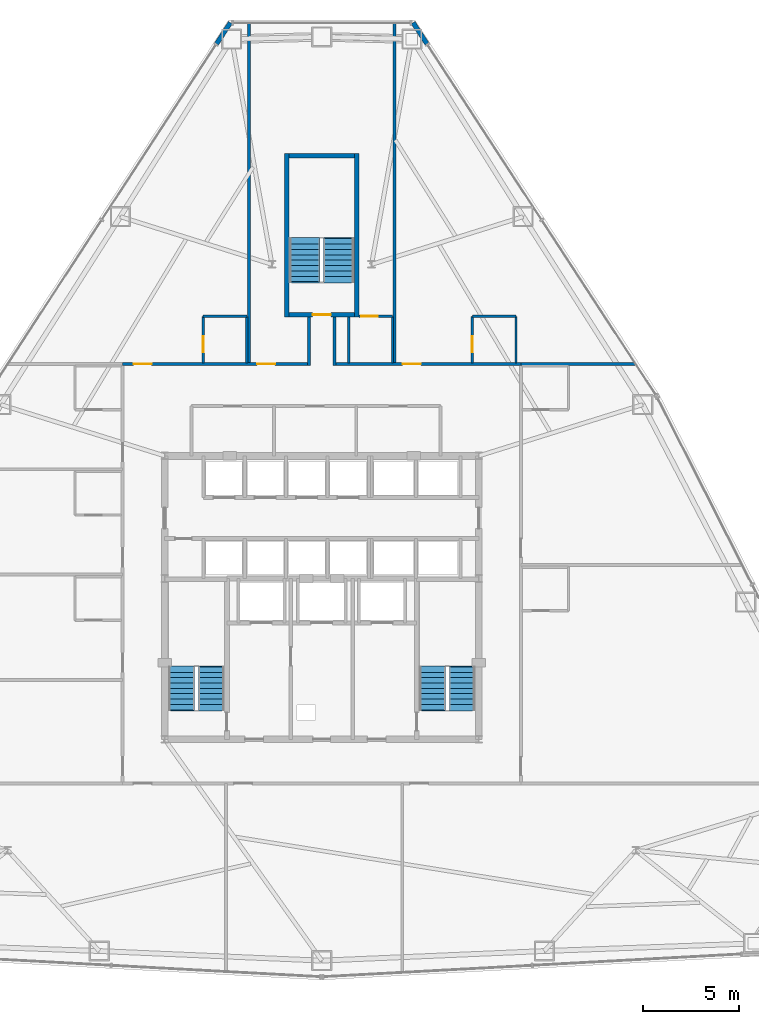
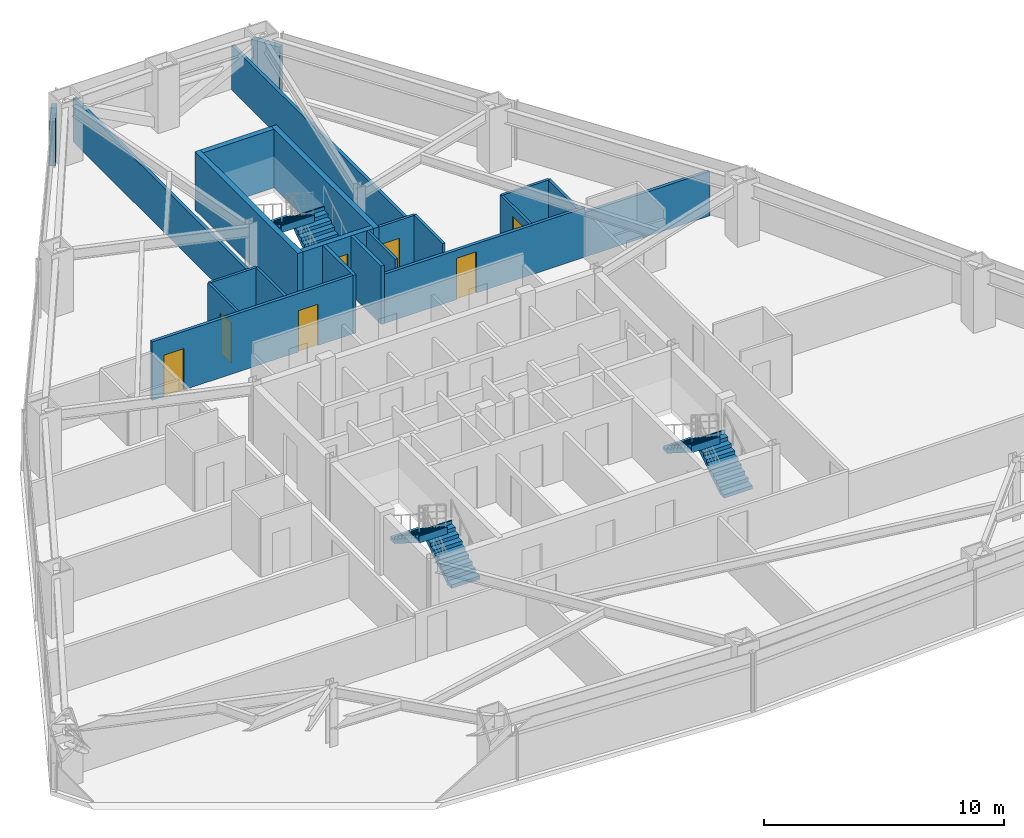
# One storey, part 11 of 12: 22 walls, 7 doors, 6 stair flights, 7 openings, 3 elements without a shape of their own.
"""IFC4 building model written with IfcOpenShell, lengths in metres."""

import ifcopenshell
import ifcopenshell.guid

model = None  # the IFC model being written
_history = None  # IfcOwnerHistory: only IFC2X3 demands one
_inside = {}  # id of a spatial element -> (the spatial element, [elements in it])
_under = {}  # id of a project, library or spatial element -> (it, [spatial elements below it])
_declared = {}  # id of a project -> (the project, [libraries it declares])
_typed = {}  # id of a type object -> (the type object, [elements of that type])
_made_of = {}  # id of a material, layer set ... -> (it, [elements and type objects made of it])


def new_model(schema):
    """Start an empty IFC model of exactly this schema.

    Asked for "IFC4X3", IfcOpenShell would pick the latest addendum, in which some entities
    have other attributes; the version numbers below select the first issue.
    IFC2X3 requires an IfcOwnerHistory on every rooted entity: one is made here for all.
    """
    global model, _history
    if schema == "IFC4X3":
        model = ifcopenshell.file(schema_version=(4, 3, 0, 0))
    else:
        model = ifcopenshell.file(schema=schema)
    _inside.clear()
    _under.clear()
    _declared.clear()
    _typed.clear()
    _made_of.clear()
    _history = None
    if model.schema == "IFC2X3":
        org = make("IfcOrganization", Name="unknown")
        user = make(
            "IfcPersonAndOrganization",
            ThePerson=make("IfcPerson", FamilyName="unknown"),
            TheOrganization=org,
        )
        app = make(
            "IfcApplication",
            ApplicationDeveloper=org,
            Version="unknown",
            ApplicationFullName="unknown",
            ApplicationIdentifier="unknown",
        )
        _history = make(
            "IfcOwnerHistory",
            OwningUser=user,
            OwningApplication=app,
            ChangeAction="ADDED",
            CreationDate=0,
        )
    return model


def make(cls, **values):
    """One entity of the class cls with the attributes given. An attribute that is None is left unset."""
    return model.create_entity(
        cls, **{name: value for name, value in values.items() if value is not None}
    )


def rooted(cls, **values):
    """An entity with a GlobalId (a new one), such as an element, a storey or a relation."""
    return make(cls, GlobalId=ifcopenshell.guid.new(), OwnerHistory=_history, **values)


def si_unit(unit_type, name, prefix=None):
    """IfcSIUnit, for example si_unit("LENGTHUNIT", "METRE", prefix="MILLI")."""
    return make("IfcSIUnit", UnitType=unit_type, Prefix=prefix, Name=name)


def assignment(units):
    """IfcUnitAssignment: the units of a project."""
    return None if units is None else make("IfcUnitAssignment", Units=units)


def point(xyz):
    """IfcCartesianPoint."""
    return None if xyz is None else make("IfcCartesianPoint", Coordinates=xyz)


def direction(xyz):
    """IfcDirection."""
    return None if xyz is None else make("IfcDirection", DirectionRatios=xyz)


def frame(location, z_axis=None, x_axis=None):
    """IfcAxis2Placement3D, a coordinate frame: its origin and axes. An axis left out is left unset."""
    return make(
        "IfcAxis2Placement3D",
        Location=point(location),
        Axis=direction(z_axis),
        RefDirection=direction(x_axis),
    )


def frame_2d(location, x_axis=None):
    """IfcAxis2Placement2D, a coordinate frame in the plane: its origin and x axis."""
    return make(
        "IfcAxis2Placement2D", Location=point(location), RefDirection=direction(x_axis)
    )


def origin():
    """The frame at (0, 0, 0) with its axes left unset."""
    return frame((0.0, 0.0, 0.0))


def place(relative_to, where):
    """IfcLocalPlacement: puts the frame where relative to a parent placement (None: the world)."""
    return make(
        "IfcLocalPlacement", PlacementRelTo=relative_to, RelativePlacement=where
    )


def context(
    kind, dimensions, precision=None, world=None, true_north=None, identifier=None
):
    """IfcGeometricRepresentationContext, for example the 3D "Model" context."""
    return make(
        "IfcGeometricRepresentationContext",
        ContextIdentifier=identifier,
        ContextType=kind,
        CoordinateSpaceDimension=dimensions,
        Precision=precision,
        WorldCoordinateSystem=world,
        TrueNorth=true_north,
    )


def subcontext(parent, identifier, kind, view, scale=None):
    """IfcGeometricRepresentationSubContext, for example "Body" below "Model"."""
    return make(
        "IfcGeometricRepresentationSubContext",
        ContextIdentifier=identifier,
        ContextType=kind,
        ParentContext=parent,
        TargetScale=scale,
        TargetView=view,
    )


def project(units=None, contexts=None):
    """IfcProject with its units and contexts."""
    return rooted(
        "IfcProject",
        Name="project",
        RepresentationContexts=contexts,
        UnitsInContext=assignment(units),
    )


def spatial(cls, under=None, at=None, **own):
    """A site, building, storey or space (cls), placed at a placement, below another one or the project."""
    s = rooted(cls, ObjectPlacement=at, **own)
    if under is not None:
        _under.setdefault(under.id(), (under, []))[1].append(s)
    return s


def polyline(points):
    """IfcPolyline through the points."""
    return make("IfcPolyline", Points=[point(p) for p in points])


def profile(cls, at=None, kind="AREA", **sizes):
    """A parametric profile (cls). Its sizes go by their IFC names, for example OverallWidth=200.0."""
    return make(cls, ProfileType=kind, Position=at, **sizes)


def rectangle(**sizes):
    """IfcRectangleProfileDef."""
    return profile("IfcRectangleProfileDef", **sizes)


def outline(outer, holes=None, kind="AREA"):
    """IfcArbitraryClosedProfileDef: a profile drawn as a closed curve; with holes, ...WithVoids."""
    if holes is None:
        return make("IfcArbitraryClosedProfileDef", ProfileType=kind, OuterCurve=outer)
    return make(
        "IfcArbitraryProfileDefWithVoids",
        ProfileType=kind,
        OuterCurve=outer,
        InnerCurves=holes,
    )


def extrude(swept, where, along, depth):
    """IfcExtrudedAreaSolid: the profile swept, set in the frame where, extruded along a direction by depth."""
    return make(
        "IfcExtrudedAreaSolid",
        SweptArea=swept,
        Position=where,
        ExtrudedDirection=direction(along),
        Depth=depth,
    )


def shape(context_of_items, identifier, shape_type, items):
    """IfcShapeRepresentation: the items that make up one representation, for example the "Body"."""
    return make(
        "IfcShapeRepresentation",
        ContextOfItems=context_of_items,
        RepresentationIdentifier=identifier,
        RepresentationType=shape_type,
        Items=items,
    )


def material(Name=None, Category=None):
    """IfcMaterial."""
    return make("IfcMaterial", Name=Name, Category=Category)


def layer(
    of_material, thickness, ventilated=None, Name=None, Category=None, Priority=None
):
    """IfcMaterialLayer: one layer of a wall or slab, of a material (None: an air gap)."""
    return make(
        "IfcMaterialLayer",
        Material=of_material,
        LayerThickness=thickness,
        IsVentilated=ventilated,
        Name=Name,
        Category=Category,
        Priority=Priority,
    )


def layer_set(layers, Name=None):
    """IfcMaterialLayerSet."""
    return make("IfcMaterialLayerSet", MaterialLayers=layers, LayerSetName=Name)


def made_of(thing, what):
    """Note that an element or type object is made of a material, layer set ...; save() writes the relation."""
    if what is not None:
        _made_of.setdefault(what.id(), (what, []))[1].append(thing)
    return thing


def type_object(cls, material=None, **own):
    """A type object (cls), such as IfcWallType, which elements share."""
    return made_of(rooted(cls, **own), material)


def element(
    cls,
    number,
    at=None,
    inside=None,
    cuts=None,
    type_object=None,
    material=None,
    context=None,
    identifier="Body",
    shape_type=None,
    held_by="IfcProductDefinitionShape",
    body=None,
    shapes=None,
    **own,
):
    """One element of the class cls, such as IfcWall. Its Tag is "e" and its number.

    at: its placement. inside: the storey or other place that contains it. cuts: it is an
    opening in that element (IfcRelVoidsElement). A single representation is given by context,
    identifier, shape_type and body (its items); several are given by shapes. held_by: the class
    of the entity that holds the representations. save() writes the other relations.
    """
    e = rooted(cls, Tag="e%d" % number, ObjectPlacement=at, **own)
    if body is not None:
        shapes = [shape(context, identifier, shape_type, body)]
    if shapes is not None:
        e.Representation = make(held_by, Representations=shapes)
    if inside is not None:
        _inside.setdefault(inside.id(), (inside, []))[1].append(e)
    if cuts is not None:
        rooted(
            "IfcRelVoidsElement", RelatingBuildingElement=cuts, RelatedOpeningElement=e
        )
    if type_object is not None:
        _typed.setdefault(type_object.id(), (type_object, []))[1].append(e)
    return made_of(e, material)


def fill(opening, filler):
    """IfcRelFillsElement: the door or window that sits in an opening."""
    return rooted(
        "IfcRelFillsElement",
        RelatingOpeningElement=opening,
        RelatedBuildingElement=filler,
    )


def aggregate(whole, parts):
    """IfcRelAggregates: a whole, such as a stair, and the parts it consists of."""
    return rooted("IfcRelAggregates", RelatingObject=whole, RelatedObjects=parts)


def save(model, path):
    """Write the relations noted so far, then the file.

    IfcRelAggregates (storeys below a building ...), IfcRelContainedInSpatialStructure (elements
    in a storey), IfcRelDefinesByType, IfcRelAssociatesMaterial and IfcRelDeclares: one each for
    every whole, place, type object, material and project.
    """
    for whole, parts in _under.values():
        aggregate(whole, parts)
    for where, things in _inside.values():
        rooted(
            "IfcRelContainedInSpatialStructure",
            RelatedElements=things,
            RelatingStructure=where,
        )
    for kind, things in _typed.values():
        rooted("IfcRelDefinesByType", RelatedObjects=things, RelatingType=kind)
    for what, things in _made_of.values():
        rooted("IfcRelAssociatesMaterial", RelatedObjects=things, RelatingMaterial=what)
    for by, libraries in _declared.values():
        rooted("IfcRelDeclares", RelatingContext=by, RelatedDefinitions=libraries)
    model.write(path)


model = new_model("IFC4")

# Units and contexts
model_context = context("Model", 3, precision=1e-05, world=origin(), true_north=direction((0.0, 1.0)))
body_context = subcontext(model_context, "Body", "Model", "MODEL_VIEW")
ifc_project = project(units=[si_unit("LENGTHUNIT", "METRE"), si_unit("AREAUNIT", "SQUARE_METRE"), si_unit("VOLUMEUNIT", "CUBIC_METRE"), si_unit("PLANEANGLEUNIT", "RADIAN"), si_unit("MASSUNIT", "GRAM", prefix="KILO")], contexts=[model_context])

# Site, building, storey
site_placement = place(None, origin())
site = spatial("IfcSite", under=ifc_project, at=site_placement, CompositionType="ELEMENT")
building_placement = place(site_placement, origin())
building = spatial("IfcBuilding", under=site, at=building_placement, Name="Varakhsha Concourse Tower", CompositionType="ELEMENT")
storey_placement = place(building_placement, frame((0.0, 0.0, 76.60009765625)))
storey = spatial("IfcBuildingStorey", under=building, at=storey_placement, Name="L21", CompositionType="ELEMENT", Elevation=76.60009765625)

# Walls
ifc_material_1 = material(Name="Concrete fc 45 MPa", Category="concrete")
ifc_layer_1 = layer(ifc_material_1, 0.239990234375, Name="WL-EXT-CRN-240")
ifc_layer_set_1 = layer_set([ifc_layer_1], Name="Concrete fc 45 MPa")
wall_type_1 = type_object("IfcWallType", Name="WL-EXT-CRN-240", PredefinedType="SHEAR", material=ifc_layer_set_1)
for number, where, z_axis, x_axis, name in (
    (1, (35.228515625, 53.822998046875, 0.0), (0.0, 0.0, 1.0), (-0.546222655951, -0.83764002419, 0.0), "L21 Wind-Corner Shoulder Wall F2"),
    (2, (45.49267578125, 52.717041015625, 0.0), (0.0, 0.0, 1.0), (-0.546222655951, 0.83764002419, 0.0), "L21 Wind-Corner Shoulder Wall F9"),
):
    element("IfcWall", number, at=place(storey_placement, frame(where, z_axis=z_axis, x_axis=x_axis)), inside=storey, type_object=wall_type_1, Name=name, PredefinedType="SHEAR", context=body_context, shape_type="SweptSolid", body=[
        extrude(rectangle(XDim=1.3203125, YDim=0.239990234375, at=frame_2d((0.66015625, 0.0))), origin(), (0.0, 0.0, 1.0), 2.2529296875),
    ])

# Wall, opening, door
ifc_material_2 = material(Name="Acoustic Gypsum Board Partition Assembly", Category="gypsum")
ifc_layer_2 = layer(ifc_material_2, 0.1201171875, Name="WL-PART-120")
ifc_layer_set_2 = layer_set([ifc_layer_2], Name="Acoustic Gypsum Board Partition Assembly")
wall_type_2 = type_object("IfcWallType", Name="WL-PART-120", PredefinedType="PARTITIONING", material=ifc_layer_set_2)
wall_1_placement = place(storey_placement, frame((33.81005859375, 36.06005859375, 0.0), z_axis=(0.0, 0.0, 1.0), x_axis=(0.0, 1.0, 0.0)))
wall_1 = element("IfcWall", 3, at=wall_1_placement, inside=storey, type_object=wall_type_2, Name="L21 Wall ENSW-W-L21-H10", PredefinedType="PARTITIONING", context=body_context, shape_type="SweptSolid", body=[
    extrude(rectangle(XDim=2.429931640625, YDim=0.1201171875, at=frame_2d((1.21484375, 0.0))), origin(), (0.0, 0.0, 1.0), 2.969970703125),
])
opening_1_placement = place(wall_1_placement, frame((0.550048828125, 0.0, 0.0)))
opening_1 = element("IfcOpeningElement", 4, at=opening_1_placement, cuts=wall_1, Name="Opening DI-01", PredefinedType="OPENING", context=body_context, shape_type="SweptSolid", body=[
    extrude(rectangle(XDim=0.85009765625, YDim=2.050048828125, at=frame_2d((0.425048828125, 1.02490234375))), frame((0.0, 0.070068359375, 0.0), z_axis=(0.0, -1.0, 0.0), x_axis=(1.0, 0.0, 0.0)), (0.0, 0.0, 1.0), 0.14013671875),
])
ifc_material_3 = material(Name="Architectural Walnut Acoustic Timber Door", Category="wood")
door_type_1 = type_object("IfcDoorType", Name="DR-INT-850", OperationType="NOTDEFINED", PredefinedType="DOOR", material=ifc_material_3)
door_1_placement = place(opening_1_placement, origin())
door_1 = element("IfcDoor", 5, at=door_1_placement, inside=storey, type_object=door_type_1, Name="L21 En-suite Bathroom Door L21-H10", OperationType="SINGLE_SWING_RIGHT", OverallHeight=2.050048828125, OverallWidth=0.85009765625, PredefinedType="DOOR", context=body_context, shape_type="SweptSolid", body=[
    extrude(rectangle(XDim=0.85009765625, YDim=2.050048828125, at=frame_2d((0.425048828125, 1.02490234375))), frame((0.0, 0.02490234375, 0.0), z_axis=(0.0, -1.0, 0.0), x_axis=(1.0, 0.0, 0.0)), (0.0, 0.0, 1.0), 0.050048828125),
])
fill(opening_1, door_1)

# Walls
wall_2_placement = place(storey_placement, frame((36.090087890625, 36.06005859375, 0.0), z_axis=(0.0, 0.0, 1.0), x_axis=(0.0, 1.0, 0.0)))
element("IfcWall", 6, at=wall_2_placement, inside=storey, type_object=wall_type_2, Name="L21 Wall ENSW-E-L21-H10", PredefinedType="PARTITIONING", context=body_context, shape_type="SweptSolid", body=[
    extrude(rectangle(XDim=2.429931640625, YDim=0.1201171875, at=frame_2d((1.21484375, 0.0))), origin(), (0.0, 0.0, 1.0), 2.969970703125),
])
wall_3_placement = place(storey_placement, frame((33.81005859375, 38.489990234375, 0.0), z_axis=(0.0, 0.0, 1.0), x_axis=(1.0, 0.0, 0.0)))
element("IfcWall", 7, at=wall_3_placement, inside=storey, type_object=wall_type_2, Name="L21 Wall ENSW-N-L21-H10", PredefinedType="PARTITIONING", context=body_context, shape_type="SweptSolid", body=[
    extrude(rectangle(XDim=2.280029296875, YDim=0.1201171875, at=frame_2d((1.14013671875, 0.0))), origin(), (0.0, 0.0, 1.0), 2.969970703125),
])
wall_4_placement = place(storey_placement, frame((41.409912109375, 36.06005859375, 0.0), z_axis=(0.0, 0.0, 1.0), x_axis=(0.0, 1.0, 0.0)))
element("IfcWall", 8, at=wall_4_placement, inside=storey, type_object=wall_type_2, Name="L21 Wall ENSW-W-L21-H11", PredefinedType="PARTITIONING", context=body_context, shape_type="SweptSolid", body=[
    extrude(rectangle(XDim=2.389892578125, YDim=0.1201171875, at=frame_2d((1.19482421875, 0.0))), origin(), (0.0, 0.0, 1.0), 2.969970703125),
])
wall_5_placement = place(storey_placement, frame((43.68994140625, 36.06005859375, 0.0), z_axis=(0.0, 0.0, 1.0), x_axis=(0.0, 1.0, 0.0)))
element("IfcWall", 9, at=wall_5_placement, inside=storey, type_object=wall_type_2, Name="L21 Wall ENSW-E-L21-H11", PredefinedType="PARTITIONING", context=body_context, shape_type="SweptSolid", body=[
    extrude(rectangle(XDim=2.429931640625, YDim=0.1201171875, at=frame_2d((1.21484375, 0.0))), origin(), (0.0, 0.0, 1.0), 2.969970703125),
])

# Wall, opening, door
wall_6_placement = place(storey_placement, frame((41.949951171875, 38.489990234375, 0.0), z_axis=(0.0, 0.0, 1.0), x_axis=(1.0, 0.0, 0.0)))
wall_6 = element("IfcWall", 10, at=wall_6_placement, inside=storey, type_object=wall_type_2, Name="L21 Wall ENSW-N-L21-H11", PredefinedType="PARTITIONING", context=body_context, shape_type="SweptSolid", body=[
    extrude(rectangle(XDim=1.739990234375, YDim=0.1201171875, at=frame_2d((0.8701171875, 0.0))), origin(), (0.0, 0.0, 1.0), 2.969970703125),
])
opening_2_placement = place(wall_6_placement, frame((0.1201171875, 0.0, 0.0)))
opening_2 = element("IfcOpeningElement", 11, at=opening_2_placement, cuts=wall_6, Name="Opening DI-01", PredefinedType="OPENING", context=body_context, shape_type="SweptSolid", body=[
    extrude(rectangle(XDim=0.85009765625, YDim=2.050048828125, at=frame_2d((0.425048828125, 1.02490234375))), frame((0.0, 0.070068359375, 0.0), z_axis=(0.0, -1.0, 0.0), x_axis=(1.0, 0.0, 0.0)), (0.0, 0.0, 1.0), 0.14013671875),
])
door_2_placement = place(opening_2_placement, origin())
door_2 = element("IfcDoor", 12, at=door_2_placement, inside=storey, type_object=door_type_1, Name="L21 En-suite Bathroom Door L21-H11", OperationType="SINGLE_SWING_RIGHT", OverallHeight=2.050048828125, OverallWidth=0.85009765625, PredefinedType="DOOR", context=body_context, shape_type="SweptSolid", body=[
    extrude(rectangle(XDim=0.85009765625, YDim=2.050048828125, at=frame_2d((0.425048828125, 1.02490234375))), frame((0.0, 0.02490234375, 0.0), z_axis=(0.0, -1.0, 0.0), x_axis=(1.0, 0.0, 0.0)), (0.0, 0.0, 1.0), 0.050048828125),
])
fill(opening_2, door_2)

wall_7_placement = place(storey_placement, frame((47.860107421875, 36.06005859375, 0.0), z_axis=(0.0, 0.0, 1.0), x_axis=(0.0, 1.0, 0.0)))
wall_7 = element("IfcWall", 13, at=wall_7_placement, inside=storey, type_object=wall_type_2, Name="L21 Wall ENSW-W-L21-H12", PredefinedType="PARTITIONING", context=body_context, shape_type="SweptSolid", body=[
    extrude(rectangle(XDim=2.429931640625, YDim=0.1201171875, at=frame_2d((1.21484375, 0.0))), origin(), (0.0, 0.0, 1.0), 2.5029296875),
])
opening_3_placement = place(wall_7_placement, frame((0.550048828125, 0.0, 0.0)))
opening_3 = element("IfcOpeningElement", 14, at=opening_3_placement, cuts=wall_7, Name="Opening DI-01", PredefinedType="OPENING", context=body_context, shape_type="SweptSolid", body=[
    extrude(rectangle(XDim=0.85009765625, YDim=2.050048828125, at=frame_2d((0.425048828125, 1.02490234375))), frame((0.0, 0.070068359375, 0.0), z_axis=(0.0, -1.0, 0.0), x_axis=(1.0, 0.0, 0.0)), (0.0, 0.0, 1.0), 0.14013671875),
])
door_3_placement = place(opening_3_placement, origin())
door_3 = element("IfcDoor", 15, at=door_3_placement, inside=storey, type_object=door_type_1, Name="L21 En-suite Bathroom Door L21-H12", OperationType="SINGLE_SWING_RIGHT", OverallHeight=2.050048828125, OverallWidth=0.85009765625, PredefinedType="DOOR", context=body_context, shape_type="SweptSolid", body=[
    extrude(rectangle(XDim=0.85009765625, YDim=2.050048828125, at=frame_2d((0.425048828125, 1.02490234375))), frame((0.0, 0.02490234375, 0.0), z_axis=(0.0, -1.0, 0.0), x_axis=(1.0, 0.0, 0.0)), (0.0, 0.0, 1.0), 0.050048828125),
])
fill(opening_3, door_3)

# Walls
wall_8_placement = place(storey_placement, frame((50.139892578125, 36.06005859375, 0.0), z_axis=(0.0, 0.0, 1.0), x_axis=(0.0, 1.0, 0.0)))
element("IfcWall", 16, at=wall_8_placement, inside=storey, type_object=wall_type_2, Name="L21 Wall ENSW-E-L21-H12", PredefinedType="PARTITIONING", context=body_context, shape_type="SweptSolid", body=[
    extrude(rectangle(XDim=2.429931640625, YDim=0.1201171875, at=frame_2d((1.21484375, 0.0))), origin(), (0.0, 0.0, 1.0), 2.5029296875),
])
wall_9_placement = place(storey_placement, frame((47.860107421875, 38.489990234375, 0.0), z_axis=(0.0, 0.0, 1.0), x_axis=(1.0, 0.0, 0.0)))
element("IfcWall", 17, at=wall_9_placement, inside=storey, type_object=wall_type_2, Name="L21 Wall ENSW-N-L21-H12", PredefinedType="PARTITIONING", context=body_context, shape_type="SweptSolid", body=[
    extrude(rectangle(XDim=2.27978515625, YDim=0.1201171875, at=frame_2d((1.139892578125, 0.0))), origin(), (0.0, 0.0, 1.0), 2.5029296875),
])

# Wall, openings, doors
ifc_material_4 = material(Name="Fire-Rated Type X Gypsum Partition Assembly", Category="gypsum")
ifc_layer_3 = layer(ifc_material_4, 0.14990234375, Name="WL-PART-150")
ifc_layer_set_3 = layer_set([ifc_layer_3], Name="Fire-Rated Type X Gypsum Partition Assembly")
wall_type_3 = type_object("IfcWallType", Name="WL-PART-150", PredefinedType="PARTITIONING", material=ifc_layer_set_3)
wall_10_placement = place(storey_placement, frame((29.60009765625, 36.0, 0.0), z_axis=(0.0, 0.0, 1.0), x_axis=(1.0, 0.0, 0.0)))
wall_10 = element("IfcWall", 18, at=wall_10_placement, inside=storey, type_object=wall_type_3, Name="L21 Wall CRW-N-L21", PredefinedType="PARTITIONING", context=body_context, shape_type="SweptSolid", body=[
    extrude(rectangle(XDim=9.64990234375, YDim=0.14990234375, at=frame_2d((4.824951171875, 0.0))), origin(), (0.0, 0.0, 1.0), 2.969970703125),
])
opening_4_placement = place(wall_10_placement, frame((0.570068359375, 0.0, 0.0)))
opening_4 = element("IfcOpeningElement", 19, at=opening_4_placement, cuts=wall_10, Name="Opening DF-05", PredefinedType="OPENING", context=body_context, shape_type="SweptSolid", body=[
    extrude(rectangle(XDim=0.949951171875, YDim=2.10009765625, at=frame_2d((0.47509765625, 1.050048828125))), frame((0.0, 0.0849609375, 0.0), z_axis=(0.0, -1.0, 0.0), x_axis=(1.0, 0.0, 0.0)), (0.0, 0.0, 1.0), 0.169921875),
])
opening_5_placement = place(wall_10_placement, frame((7.02001953125, 0.0, 0.0)))
opening_5 = element("IfcOpeningElement", 20, at=opening_5_placement, cuts=wall_10, Name="Opening DF-05", PredefinedType="OPENING", context=body_context, shape_type="SweptSolid", body=[
    extrude(rectangle(XDim=0.949951171875, YDim=2.10009765625, at=frame_2d((0.47509765625, 1.050048828125))), frame((0.0, 0.0849609375, 0.0), z_axis=(0.0, -1.0, 0.0), x_axis=(1.0, 0.0, 0.0)), (0.0, 0.0, 1.0), 0.169921875),
])
ifc_material_5 = material(Name="Hollow Galvanised Steel Fire Door Assembly", Category="steel")
door_type_2 = type_object("IfcDoorType", Name="DR-FD60-950", OperationType="NOTDEFINED", PredefinedType="DOOR", material=ifc_material_5)
door_4_placement = place(opening_4_placement, origin())
door_4 = element("IfcDoor", 21, at=door_4_placement, inside=storey, type_object=door_type_2, Name="L21 Hotel Corner Suite L21-H10 Entry Door", OperationType="SINGLE_SWING_RIGHT", OverallHeight=2.10009765625, OverallWidth=0.949951171875, PredefinedType="DOOR", context=body_context, shape_type="SweptSolid", body=[
    extrude(rectangle(XDim=0.949951171875, YDim=2.10009765625, at=frame_2d((0.47509765625, 1.050048828125))), frame((0.0, 0.02490234375, 0.0), z_axis=(0.0, -1.0, 0.0), x_axis=(1.0, 0.0, 0.0)), (0.0, 0.0, 1.0), 0.050048828125),
])
fill(opening_4, door_4)
door_5_placement = place(opening_5_placement, origin())
door_5 = element("IfcDoor", 22, at=door_5_placement, inside=storey, type_object=door_type_2, Name="L21 Hotel Corner Suite L21-H11 Entry Door", OperationType="SINGLE_SWING_LEFT", OverallHeight=2.10009765625, OverallWidth=0.949951171875, PredefinedType="DOOR", context=body_context, shape_type="SweptSolid", body=[
    extrude(rectangle(XDim=0.949951171875, YDim=2.10009765625, at=frame_2d((0.47509765625, 1.050048828125))), frame((0.0, 0.02490234375, 0.0), z_axis=(0.0, -1.0, 0.0), x_axis=(1.0, 0.0, 0.0)), (0.0, 0.0, 1.0), 0.050048828125),
])
fill(opening_5, door_5)

# Wall, opening, door
wall_11_placement = place(storey_placement, frame((40.75, 36.0, 0.0), z_axis=(0.0, 0.0, 1.0), x_axis=(1.0, 0.0, 0.0)))
wall_11 = element("IfcWall", 23, at=wall_11_placement, inside=storey, type_object=wall_type_3, Name="L21 Wall CRW-N-L21-B", PredefinedType="PARTITIONING", context=body_context, shape_type="SweptSolid", body=[
    extrude(rectangle(XDim=9.64990234375, YDim=0.14990234375, at=frame_2d((4.824951171875, 0.0))), origin(), (0.0, 0.0, 1.0), 2.5029296875),
])
opening_6_placement = place(wall_11_placement, frame((3.469970703125, 0.0, 0.0)))
opening_6 = element("IfcOpeningElement", 24, at=opening_6_placement, cuts=wall_11, Name="Opening DF-05", PredefinedType="OPENING", context=body_context, shape_type="SweptSolid", body=[
    extrude(rectangle(XDim=0.949951171875, YDim=2.10009765625, at=frame_2d((0.47509765625, 1.050048828125))), frame((0.0, 0.0849609375, 0.0), z_axis=(0.0, -1.0, 0.0), x_axis=(1.0, 0.0, 0.0)), (0.0, 0.0, 1.0), 0.169921875),
])
door_6_placement = place(opening_6_placement, origin())
door_6 = element("IfcDoor", 25, at=door_6_placement, inside=storey, type_object=door_type_2, Name="L21 Hotel Corner Suite L21-H12 Entry Door", OperationType="SINGLE_SWING_RIGHT", OverallHeight=2.10009765625, OverallWidth=0.949951171875, PredefinedType="DOOR", context=body_context, shape_type="SweptSolid", body=[
    extrude(rectangle(XDim=0.949951171875, YDim=2.10009765625, at=frame_2d((0.47509765625, 1.050048828125))), frame((0.0, 0.02490234375, 0.0), z_axis=(0.0, -1.0, 0.0), x_axis=(1.0, 0.0, 0.0)), (0.0, 0.0, 1.0), 0.050048828125),
])
fill(opening_6, door_6)

# Walls
wall_12_placement = place(storey_placement, frame((50.39990234375, 36.0, 0.0), z_axis=(0.0, 0.0, 1.0), x_axis=(1.0, 0.0, 0.0)))
element("IfcWall", 26, at=wall_12_placement, inside=storey, type_object=wall_type_3, Name="L21 Wall HDIV-EBN-L21", PredefinedType="PARTITIONING", context=body_context, shape_type="SweptSolid", body=[
    extrude(rectangle(XDim=5.98876953125, YDim=0.14990234375, at=frame_2d((2.994384765625, 0.0))), origin(), (0.0, 0.0, 1.0), 2.2578125),
])
for number, where, z_axis, x_axis, name in (
    (27, (36.199951171875, 36.0, 0.0), (0.0, 0.0, 1.0), (0.0, 1.0, 0.0), "L21 Wall HDIV-N1-L21"),
    (28, (43.800048828125, 36.0, 0.0), (0.0, 0.0, 1.0), (0.0, 1.0, 0.0), "L21 Wall HDIV-N2-L21"),
):
    element("IfcWall", number, at=place(storey_placement, frame(where, z_axis=z_axis, x_axis=x_axis)), inside=storey, type_object=wall_type_3, Name=name, PredefinedType="PARTITIONING", context=body_context, shape_type="SweptSolid", body=[
        extrude(rectangle(XDim=17.79736328125, YDim=0.14990234375, at=frame_2d((8.898681640625, 0.0))), origin(), (0.0, 0.0, 1.0), 2.2578125),
    ])
for number, where, z_axis, x_axis, name in (
    (29, (39.324951171875, 35.925048828125, 0.0), (0.0, 0.0, 1.0), (0.0, 1.0, 0.0), "L21 Wall STUB-W-L21"),
    (30, (40.675048828125, 35.925048828125, 0.0), (0.0, 0.0, 1.0), (0.0, 1.0, 0.0), "L21 Wall STUB-E-L21"),
):
    element("IfcWall", number, at=place(storey_placement, frame(where, z_axis=z_axis, x_axis=x_axis)), inside=storey, type_object=wall_type_3, Name=name, PredefinedType="PARTITIONING", context=body_context, shape_type="SweptSolid", body=[
        extrude(rectangle(XDim=2.52490234375, YDim=0.14990234375, at=frame_2d((1.262451171875, 0.0))), origin(), (0.0, 0.0, 1.0), 2.969970703125),
    ])
ifc_layer_4 = layer(ifc_material_1, 0.25, Name="WL-STAIR-250")
ifc_layer_set_4 = layer_set([ifc_layer_4], Name="Concrete fc 45 MPa")
wall_type_4 = type_object("IfcWallType", Name="WL-STAIR-250", PredefinedType="SHEAR", material=ifc_layer_set_4)
for number, where, z_axis, x_axis, name in (
    (31, (38.175048828125, 38.449951171875, 0.0), (0.0, 0.0, 1.0), (0.0, 1.0, 0.0), "L21 Wall SWALL-ST5-W-L21"),
    (32, (41.824951171875, 38.449951171875, 0.0), (0.0, 0.0, 1.0), (0.0, 1.0, 0.0), "L21 Wall SWALL-ST5-E-L21"),
):
    element("IfcWall", number, at=place(storey_placement, frame(where, z_axis=z_axis, x_axis=x_axis)), inside=storey, type_object=wall_type_4, Name=name, PredefinedType="SHEAR", context=body_context, shape_type="SweptSolid", body=[
        extrude(rectangle(XDim=8.550048828125, YDim=0.25, at=frame_2d((4.27490234375, 0.0))), origin(), (0.0, 0.0, 1.0), 2.969970703125),
    ])

# Wall, opening, door
wall_13_placement = place(storey_placement, frame((38.300048828125, 38.574951171875, 0.0), z_axis=(0.0, 0.0, 1.0), x_axis=(1.0, 0.0, 0.0)))
wall_13 = element("IfcWall", 33, at=wall_13_placement, inside=storey, type_object=wall_type_4, Name="L21 Wall SWALL-ST5-S-L21", PredefinedType="SHEAR", context=body_context, shape_type="SweptSolid", body=[
    extrude(rectangle(XDim=3.39990234375, YDim=0.25, at=frame_2d((1.699951171875, 0.0))), origin(), (0.0, 0.0, 1.0), 2.969970703125),
])
opening_7_placement = place(wall_13_placement, frame((1.22509765625, 0.0, 0.0)))
opening_7 = element("IfcOpeningElement", 34, at=opening_7_placement, cuts=wall_13, Name="Opening DF-03", PredefinedType="OPENING", context=body_context, shape_type="SweptSolid", body=[
    extrude(rectangle(XDim=0.949951171875, YDim=2.10009765625, at=frame_2d((0.47509765625, 1.050048828125))), frame((0.0, 0.135009765625, 0.0), z_axis=(0.0, -1.0, 0.0), x_axis=(1.0, 0.0, 0.0)), (0.0, 0.0, 1.0), 0.27001953125),
])
door_type_3 = type_object("IfcDoorType", Name="DR-FD90-950", OperationType="NOTDEFINED", PredefinedType="DOOR", material=ifc_material_5)
door_7_placement = place(opening_7_placement, origin())
door_7 = element("IfcDoor", 35, at=door_7_placement, inside=storey, type_object=door_type_3, Name="L21 Stair ST5 Fire Door", OperationType="SINGLE_SWING_RIGHT", OverallHeight=2.10009765625, OverallWidth=0.949951171875, PredefinedType="DOOR", context=body_context, shape_type="SweptSolid", body=[
    extrude(rectangle(XDim=0.949951171875, YDim=2.10009765625, at=frame_2d((0.47509765625, 1.050048828125))), frame((0.0, 0.02490234375, 0.0), z_axis=(0.0, -1.0, 0.0), x_axis=(1.0, 0.0, 0.0)), (0.0, 0.0, 1.0), 0.050048828125),
])
fill(opening_7, door_7)

# Wall
wall_14_placement = place(storey_placement, frame((38.300048828125, 46.875, 0.0), z_axis=(0.0, 0.0, 1.0), x_axis=(1.0, 0.0, 0.0)))
element("IfcWall", 36, at=wall_14_placement, inside=storey, type_object=wall_type_4, Name="L21 Wall SWALL-ST5-N-L21", PredefinedType="SHEAR", context=body_context, shape_type="SweptSolid", body=[
    extrude(rectangle(XDim=3.39990234375, YDim=0.25, at=frame_2d((1.699951171875, 0.0))), origin(), (0.0, 0.0, 1.0), 2.969970703125),
])

# Stair, stair flights
stair_type_1 = type_object("IfcStairType", Name="ST-DOGLEG-1360", PredefinedType="HALF_TURN_STAIR", material=ifc_material_1)
stair_1_placement = place(storey_placement, origin())
stair_1 = element("IfcStair", 37, at=stair_1_placement, inside=storey, type_object=stair_type_1, Name="L21 Protected Exit Stair ST1", PredefinedType="HALF_TURN_STAIR")
stair_flight_type_1 = type_object("IfcStairFlightType", Name="STF-1360-R1778", PredefinedType="STRAIGHT", material=ifc_material_1)
stair_flight_1_placement = place(storey_placement, frame((34.239990234375, 17.93994140625, 0.0), z_axis=(0.0, 0.0, 1.0), x_axis=(0.0, 1.0, 0.0)))
stair_flight_1 = element("IfcStairFlight", 38, at=stair_flight_1_placement, type_object=stair_flight_type_1, Name="ST1 flight 1", NumberOfRisers=9, NumberOfTreads=8, PredefinedType="STRAIGHT", RiserHeight=0.177777778, TreadLength=0.28, context=body_context, shape_type="SweptSolid", body=[
    extrude(outline(polyline([(-0.06005859375, 0.0), (-0.06005859375, 0.177734375), (0.0, 0.177734375), (0.280029296875, 0.177734375), (0.280029296875, 0.35546875), (0.56005859375, 0.35546875), (0.56005859375, 0.533447265625), (0.840087890625, 0.533447265625), (0.840087890625, 0.711181640625), (1.1201171875, 0.711181640625), (1.1201171875, 0.888916015625), (1.39990234375, 0.888916015625), (1.39990234375, 1.066650390625), (1.679931640625, 1.066650390625), (1.679931640625, 1.244384765625), (1.9599609375, 1.244384765625), (1.9599609375, 1.422119140625), (2.239990234375, 1.422119140625), (2.239990234375, 1.60009765625), (2.300048828125, 1.60009765625), (2.300048828125, 1.24462890625), (2.239990234375, 1.24462890625), (0.27978515625, 0.0), (-0.06005859375, 0.0)])), frame((0.0, 0.68017578125, 0.0), z_axis=(0.0, -1.0, 0.0), x_axis=(1.0, 0.0, 0.0)), (0.0, 0.0, 1.0), 1.360107421875),
])
stair_flight_2_placement = place(storey_placement, frame((32.679931640625, 20.179931640625, 1.599853515625), z_axis=(0.0, 0.0, 1.0), x_axis=(0.0, -1.0, 0.0)))
stair_flight_2 = element("IfcStairFlight", 39, at=stair_flight_2_placement, type_object=stair_flight_type_1, Name="ST1 flight 2", NumberOfRisers=9, NumberOfTreads=8, PredefinedType="STRAIGHT", RiserHeight=0.177777778, TreadLength=0.28, context=body_context, shape_type="SweptSolid", body=[
    extrude(outline(polyline([(-0.06005859375, 0.0), (-0.06005859375, 0.177734375), (0.0, 0.177734375), (0.280029296875, 0.177734375), (0.280029296875, 0.35546875), (0.56005859375, 0.35546875), (0.56005859375, 0.533447265625), (0.840087890625, 0.533447265625), (0.840087890625, 0.711181640625), (1.1201171875, 0.711181640625), (1.1201171875, 0.888916015625), (1.39990234375, 0.888916015625), (1.39990234375, 1.066650390625), (1.679931640625, 1.066650390625), (1.679931640625, 1.244384765625), (1.9599609375, 1.244384765625), (1.9599609375, 1.422119140625), (2.239990234375, 1.422119140625), (2.239990234375, 1.60009765625), (2.300048828125, 1.60009765625), (2.300048828125, 1.24462890625), (2.239990234375, 1.24462890625), (0.27978515625, 0.0), (-0.06005859375, 0.0)])), frame((0.0, 0.68017578125, 0.0), z_axis=(0.0, -1.0, 0.0), x_axis=(1.0, 0.0, 0.0)), (0.0, 0.0, 1.0), 1.360107421875),
])
aggregate(stair_1, [stair_flight_1, stair_flight_2])

stair_2_placement = place(storey_placement, origin())
stair_2 = element("IfcStair", 40, at=stair_2_placement, inside=storey, type_object=stair_type_1, Name="L21 Protected Exit Stair ST2", PredefinedType="HALF_TURN_STAIR")
stair_flight_3_placement = place(storey_placement, frame((47.340087890625, 17.93994140625, 0.0), z_axis=(0.0, 0.0, 1.0), x_axis=(0.0, 1.0, 0.0)))
stair_flight_3 = element("IfcStairFlight", 41, at=stair_flight_3_placement, type_object=stair_flight_type_1, Name="ST2 flight 1", NumberOfRisers=9, NumberOfTreads=8, PredefinedType="STRAIGHT", RiserHeight=0.177777778, TreadLength=0.28, context=body_context, shape_type="SweptSolid", body=[
    extrude(outline(polyline([(-0.06005859375, 0.0), (-0.06005859375, 0.177734375), (0.0, 0.177734375), (0.280029296875, 0.177734375), (0.280029296875, 0.35546875), (0.56005859375, 0.35546875), (0.56005859375, 0.533447265625), (0.840087890625, 0.533447265625), (0.840087890625, 0.711181640625), (1.1201171875, 0.711181640625), (1.1201171875, 0.888916015625), (1.39990234375, 0.888916015625), (1.39990234375, 1.066650390625), (1.679931640625, 1.066650390625), (1.679931640625, 1.244384765625), (1.9599609375, 1.244384765625), (1.9599609375, 1.422119140625), (2.239990234375, 1.422119140625), (2.239990234375, 1.60009765625), (2.300048828125, 1.60009765625), (2.300048828125, 1.24462890625), (2.239990234375, 1.24462890625), (0.27978515625, 0.0), (-0.06005859375, 0.0)])), frame((0.0, 0.68017578125, 0.0), z_axis=(0.0, -1.0, 0.0), x_axis=(1.0, 0.0, 0.0)), (0.0, 0.0, 1.0), 1.360107421875),
])
stair_flight_4_placement = place(storey_placement, frame((45.780029296875, 20.179931640625, 1.599853515625), z_axis=(0.0, 0.0, 1.0), x_axis=(0.0, -1.0, 0.0)))
stair_flight_4 = element("IfcStairFlight", 42, at=stair_flight_4_placement, type_object=stair_flight_type_1, Name="ST2 flight 2", NumberOfRisers=9, NumberOfTreads=8, PredefinedType="STRAIGHT", RiserHeight=0.177777778, TreadLength=0.28, context=body_context, shape_type="SweptSolid", body=[
    extrude(outline(polyline([(-0.06005859375, 0.0), (-0.06005859375, 0.177734375), (0.0, 0.177734375), (0.280029296875, 0.177734375), (0.280029296875, 0.35546875), (0.56005859375, 0.35546875), (0.56005859375, 0.533447265625), (0.840087890625, 0.533447265625), (0.840087890625, 0.711181640625), (1.1201171875, 0.711181640625), (1.1201171875, 0.888916015625), (1.39990234375, 0.888916015625), (1.39990234375, 1.066650390625), (1.679931640625, 1.066650390625), (1.679931640625, 1.244384765625), (1.9599609375, 1.244384765625), (1.9599609375, 1.422119140625), (2.239990234375, 1.422119140625), (2.239990234375, 1.60009765625), (2.300048828125, 1.60009765625), (2.300048828125, 1.24462890625), (2.239990234375, 1.24462890625), (0.27978515625, 0.0), (-0.06005859375, 0.0)])), frame((0.0, 0.68017578125, 0.0), z_axis=(0.0, -1.0, 0.0), x_axis=(1.0, 0.0, 0.0)), (0.0, 0.0, 1.0), 1.360107421875),
])
aggregate(stair_2, [stair_flight_3, stair_flight_4])

stair_type_2 = type_object("IfcStairType", Name="ST-DOGLEG-1600", PredefinedType="HALF_TURN_STAIR", material=ifc_material_1)
stair_3_placement = place(storey_placement, origin())
stair_3 = element("IfcStair", 43, at=stair_3_placement, inside=storey, type_object=stair_type_2, Name="L21 Protected Exit Stair ST5", PredefinedType="HALF_TURN_STAIR")
stair_flight_type_2 = type_object("IfcStairFlightType", Name="STF-1600-R1778", PredefinedType="STRAIGHT", material=ifc_material_1)
stair_flight_5_placement = place(storey_placement, frame((40.89990234375, 40.300048828125, 0.0), z_axis=(0.0, 0.0, 1.0), x_axis=(0.0, 1.0, 0.0)))
stair_flight_5 = element("IfcStairFlight", 44, at=stair_flight_5_placement, type_object=stair_flight_type_2, Name="ST5 flight 1", NumberOfRisers=9, NumberOfTreads=8, PredefinedType="STRAIGHT", RiserHeight=0.177777778, TreadLength=0.28, context=body_context, shape_type="SweptSolid", body=[
    extrude(outline(polyline([(-0.06005859375, 0.0), (-0.06005859375, 0.177734375), (0.0, 0.177734375), (0.280029296875, 0.177734375), (0.280029296875, 0.35546875), (0.56005859375, 0.35546875), (0.56005859375, 0.533447265625), (0.840087890625, 0.533447265625), (0.840087890625, 0.711181640625), (1.1201171875, 0.711181640625), (1.1201171875, 0.888916015625), (1.39990234375, 0.888916015625), (1.39990234375, 1.066650390625), (1.679931640625, 1.066650390625), (1.679931640625, 1.244384765625), (1.9599609375, 1.244384765625), (1.9599609375, 1.422119140625), (2.239990234375, 1.422119140625), (2.239990234375, 1.60009765625), (2.300048828125, 1.60009765625), (2.300048828125, 1.24462890625), (2.239990234375, 1.24462890625), (0.27978515625, 0.0), (-0.06005859375, 0.0)])), frame((0.0, 0.800048828125, 0.0), z_axis=(0.0, -1.0, 0.0), x_axis=(1.0, 0.0, 0.0)), (0.0, 0.0, 1.0), 1.60009765625),
])
stair_flight_6_placement = place(storey_placement, frame((39.10009765625, 42.5400390625, 1.599853515625), z_axis=(0.0, 0.0, 1.0), x_axis=(0.0, -1.0, 0.0)))
stair_flight_6 = element("IfcStairFlight", 45, at=stair_flight_6_placement, type_object=stair_flight_type_2, Name="ST5 flight 2", NumberOfRisers=9, NumberOfTreads=8, PredefinedType="STRAIGHT", RiserHeight=0.177777778, TreadLength=0.28, context=body_context, shape_type="SweptSolid", body=[
    extrude(outline(polyline([(-0.06005859375, 0.0), (-0.06005859375, 0.177734375), (0.0, 0.177734375), (0.280029296875, 0.177734375), (0.280029296875, 0.35546875), (0.56005859375, 0.35546875), (0.56005859375, 0.533447265625), (0.840087890625, 0.533447265625), (0.840087890625, 0.711181640625), (1.1201171875, 0.711181640625), (1.1201171875, 0.888916015625), (1.39990234375, 0.888916015625), (1.39990234375, 1.066650390625), (1.679931640625, 1.066650390625), (1.679931640625, 1.244384765625), (1.9599609375, 1.244384765625), (1.9599609375, 1.422119140625), (2.239990234375, 1.422119140625), (2.239990234375, 1.60009765625), (2.300048828125, 1.60009765625), (2.300048828125, 1.24462890625), (2.239990234375, 1.24462890625), (0.27978515625, 0.0), (-0.06005859375, 0.0)])), frame((0.0, 0.800048828125, 0.0), z_axis=(0.0, -1.0, 0.0), x_axis=(1.0, 0.0, 0.0)), (0.0, 0.0, 1.0), 1.60009765625),
])
aggregate(stair_3, [stair_flight_5, stair_flight_6])

save(model, "model.ifc")
